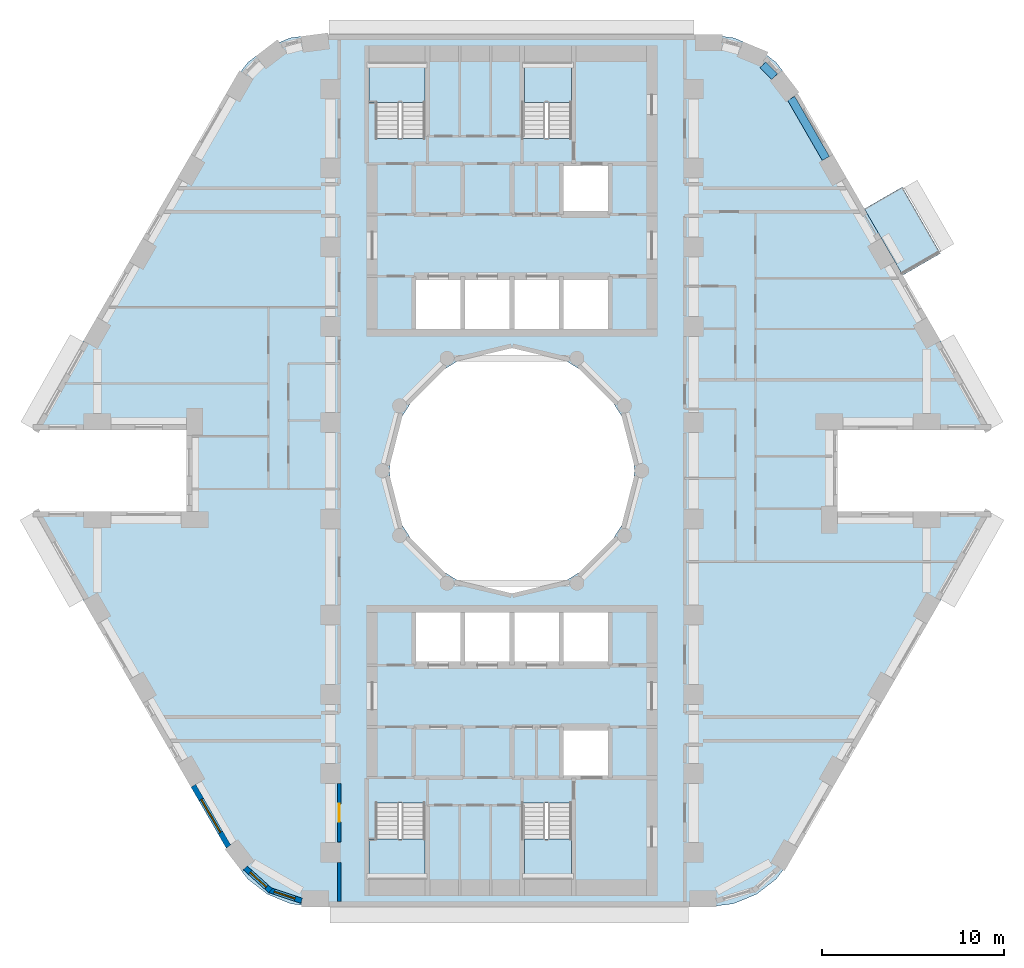
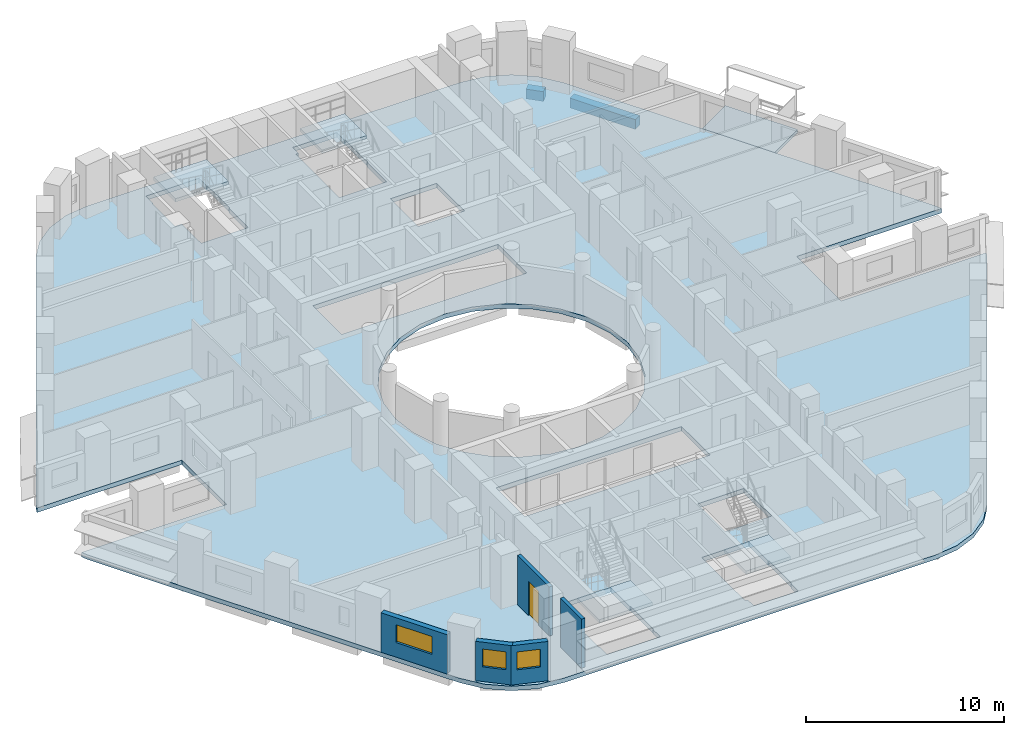
# One storey, part 2 of 13: 6 slabs, 5 walls, 3 windows, 2 beams, 1 door, 4 openings, 4 elements without a shape of their own.
"""IFC4 building model written with IfcOpenShell, lengths in metres."""

from ifc_helpers import new_model, si_unit, direction, frame, frame_2d, origin, origin_2d, place, context, subcontext, project, spatial, polyline, rectangle, outline, extrude, material, layer, layer_set, material_profile, profile_set, type_object, element, fill, aggregate, save


model = new_model("IFC4")

# Units and contexts
model_context = context("Model", 3, precision=1e-05, world=origin(), true_north=direction((0.0, 1.0)))
body_context = subcontext(model_context, "Body", "Model", "MODEL_VIEW")
ifc_project = project(units=[si_unit("LENGTHUNIT", "METRE"), si_unit("AREAUNIT", "SQUARE_METRE"), si_unit("VOLUMEUNIT", "CUBIC_METRE"), si_unit("PLANEANGLEUNIT", "RADIAN"), si_unit("MASSUNIT", "GRAM", prefix="KILO")], contexts=[model_context])

# Site, building, storey
site_placement = place(None, origin())
site = spatial("IfcSite", under=ifc_project, at=site_placement, CompositionType="ELEMENT")
building_placement = place(site_placement, origin())
building = spatial("IfcBuilding", under=site, at=building_placement, Name="Nakaniwa Court", CompositionType="ELEMENT")
storey_placement = place(building_placement, frame((0.0, 0.0, 61.199951171875)))
storey = spatial("IfcBuildingStorey", under=building, at=storey_placement, Name="L16", CompositionType="ELEMENT", Elevation=61.199951171875)

# Beams
ifc_material_1 = material(Name="Concrete C100/115", Category="concrete")
ifc_material_profile = material_profile(ifc_material_1, rectangle(XDim=0.449951171875, YDim=0.60009765625, at=origin_2d()), Name="Concrete C100/115 RC 450x600 spandrel beam")
ifc_profile_set = profile_set([ifc_material_profile], Name="Concrete C100/115")
beam_type = type_object("IfcBeamType", Name="Concrete C100/115 RC 450x600 spandrel beam", PredefinedType="BEAM", material=ifc_profile_set)
beam_1_placement = place(storey_placement, frame((97.2705078125, 97.1865234375, -0.574951171875), z_axis=(-0.500023067617, 0.86601208528, 0.0), x_axis=(-0.86601208528, -0.500023067617, 0.0)))
element("IfcBeam", 1, at=beam_1_placement, inside=storey, type_object=beam_type, Name="SPANDREL BEAM", PredefinedType="BEAM", context=body_context, shape_type="SweptSolid", body=[
    extrude(rectangle(XDim=0.449951171875, YDim=0.60009765625, at=origin_2d()), origin(), (0.0, 0.0, 1.0), 3.819580078125),
])
beam_2_placement = place(storey_placement, frame((94.448486328125, 101.68505859375, -0.574951171875), z_axis=(-0.705908410536, 0.708303124329, 0.0), x_axis=(-0.708303124329, -0.705908410536, 0.0)))
element("IfcBeam", 2, at=beam_2_placement, inside=storey, type_object=beam_type, Name="SPANDREL BEAM", PredefinedType="BEAM", context=body_context, shape_type="SweptSolid", body=[
    extrude(rectangle(XDim=0.449951171875, YDim=0.60009765625, at=origin_2d()), origin(), (0.0, 0.0, 1.0), 0.91748046875),
])

# Slabs
ifc_material_2 = material(Name="Charcoal ceramic paver")
ifc_layer_1 = layer(ifc_material_2, 0.02, Name="Ceramic paver")
ifc_material_3 = material(Name="Cement sand screed")
ifc_layer_2 = layer(ifc_material_3, 0.03, Name="Falls screed")
ifc_material_4 = material(Name="Concrete C40/50", Category="concrete")
ifc_layer_3 = layer(ifc_material_4, 0.15, Name="Balcony slab")
ifc_layer_set_1 = layer_set([ifc_layer_1, ifc_layer_2, ifc_layer_3], Name="Concrete C40/50 balcony slab with ceramic paver finish")
slab_type_1 = type_object("IfcSlabType", Name="Balcony slab 200", PredefinedType="FLOOR", material=ifc_layer_set_1)
slab_1_placement = place(storey_placement, frame((0.0, 0.0, -0.25)))
element("IfcSlab", 3, at=slab_1_placement, inside=storey, type_object=slab_type_1, Name="L16 balcony 01", PredefinedType="FLOOR", context=body_context, shape_type="SweptSolid", body=[
    extrude(outline(polyline([(101.50048828125, 90.760009765625), (99.393310546875, 94.409912109375), (101.4716796875, 95.610107421875), (103.5791015625, 91.9599609375), (101.50048828125, 90.760009765625)])), origin(), (0.0, 0.0, 1.0), 0.199951171875),
])
ifc_layer_4 = layer(ifc_material_1, 0.27490234375)
ifc_layer_set_2 = layer_set([ifc_layer_4], Name="Concrete C100/115")
slab_type_2 = type_object("IfcSlabType", Name="Concrete C100/115 post tensioned floor slab 275", PredefinedType="FLOOR", material=ifc_layer_set_2)
slab_2_placement = place(storey_placement, frame((0.0, 0.0, -0.27490234375)))
element("IfcSlab", 4, at=slab_2_placement, inside=storey, type_object=slab_type_2, Name="FLOOR SLAB", PredefinedType="FLOOR", context=body_context, shape_type="SweptSolid", body=[
    extrude(outline(polyline([(97.908447265625, 82.25), (106.356689453125, 82.25), (106.211669921875, 82.60009765625), (95.357421875, 101.39990234375), (94.531005859375, 102.47705078125), (93.4541015625, 103.30322265625), (92.199951171875, 103.82275390625), (90.854248046875, 104.0), (69.145751953125, 104.0), (67.800048828125, 103.82275390625), (66.5458984375, 103.30322265625), (65.468994140625, 102.47705078125), (64.642578125, 101.39990234375), (53.788330078125, 82.60009765625), (53.643310546875, 82.25), (62.091552734375, 82.25), (62.091552734375, 77.75), (53.643310546875, 77.75), (53.788330078125, 77.39990234375), (64.642578125, 58.60009765625), (65.468994140625, 57.52294921875), (66.5458984375, 56.69677734375), (67.800048828125, 56.17724609375), (69.145751953125, 56.0), (90.854248046875, 56.0), (92.199951171875, 56.17724609375), (93.4541015625, 56.69677734375), (94.531005859375, 57.52294921875), (95.357421875, 58.60009765625), (106.211669921875, 77.39990234375), (106.356689453125, 77.75), (97.908447265625, 77.75), (97.908447265625, 82.25)]), holes=[polyline([(81.501953125, 86.580810546875), (80.0, 86.75), (78.498046875, 86.580810546875), (77.0712890625, 86.08154296875), (75.79150390625, 85.27734375), (74.72265625, 84.20849609375), (73.91845703125, 82.9287109375), (73.419189453125, 81.501953125), (73.25, 80.0), (73.419189453125, 78.498046875), (73.91845703125, 77.0712890625), (74.72265625, 75.79150390625), (75.79150390625, 74.72265625), (77.0712890625, 73.91845703125), (78.498046875, 73.419189453125), (80.0, 73.25), (81.501953125, 73.419189453125), (82.9287109375, 73.91845703125), (84.20849609375, 74.72265625), (85.27734375, 75.79150390625), (86.08154296875, 77.0712890625), (86.580810546875, 78.498046875), (86.75, 80.0), (86.580810546875, 81.501953125), (86.08154296875, 82.9287109375), (85.27734375, 84.20849609375), (84.20849609375, 85.27734375), (82.9287109375, 86.08154296875), (81.501953125, 86.580810546875)]), polyline([(75.264892578125, 57.4599609375), (75.264892578125, 59.764892578125), (75.22509765625, 59.764892578125), (75.22509765625, 61.7099609375), (72.47509765625, 61.7099609375), (72.47509765625, 59.764892578125), (72.0849609375, 59.764892578125), (72.0849609375, 57.4599609375), (72.125, 57.4599609375), (72.125, 56.72509765625), (75.22509765625, 56.72509765625), (75.22509765625, 57.324951171875), (75.22509765625, 57.4599609375), (75.264892578125, 57.4599609375)]), polyline([(80.0, 69.300048828125), (82.699951171875, 69.300048828125), (85.39990234375, 69.300048828125), (85.39990234375, 72.199951171875), (82.699951171875, 72.199951171875), (80.0, 72.199951171875), (77.300048828125, 72.199951171875), (74.60009765625, 72.199951171875), (74.60009765625, 69.300048828125), (77.300048828125, 69.300048828125), (80.0, 69.300048828125)]), polyline([(80.0, 87.800048828125), (82.699951171875, 87.800048828125), (85.39990234375, 87.800048828125), (85.39990234375, 90.699951171875), (82.699951171875, 90.699951171875), (80.0, 90.699951171875), (77.300048828125, 90.699951171875), (74.60009765625, 90.699951171875), (74.60009765625, 87.800048828125), (77.300048828125, 87.800048828125), (80.0, 87.800048828125)]), polyline([(75.264892578125, 100.235107421875), (75.264892578125, 102.5400390625), (75.22509765625, 102.5400390625), (75.22509765625, 102.675048828125), (75.22509765625, 103.27490234375), (72.125, 103.27490234375), (72.125, 102.5400390625), (72.0849609375, 102.5400390625), (72.0849609375, 100.235107421875), (72.47509765625, 100.235107421875), (72.47509765625, 98.2900390625), (75.22509765625, 98.2900390625), (75.22509765625, 100.235107421875), (75.264892578125, 100.235107421875)]), polyline([(83.27490234375, 61.7099609375), (80.52490234375, 61.7099609375), (80.52490234375, 57.324951171875), (80.675048828125, 57.324951171875), (80.675048828125, 56.72509765625), (83.27490234375, 56.72509765625), (83.27490234375, 57.324951171875), (83.27490234375, 57.4599609375), (83.31494140625, 57.4599609375), (83.31494140625, 59.764892578125), (83.27490234375, 59.764892578125), (83.27490234375, 61.7099609375)]), polyline([(85.39990234375, 65.89990234375), (82.699951171875, 65.89990234375), (82.699951171875, 63.10009765625), (85.39990234375, 63.10009765625), (85.39990234375, 65.89990234375)]), polyline([(85.39990234375, 96.89990234375), (82.699951171875, 96.89990234375), (82.699951171875, 94.10009765625), (85.39990234375, 94.10009765625), (85.39990234375, 96.89990234375)]), polyline([(83.27490234375, 100.235107421875), (83.31494140625, 100.235107421875), (83.31494140625, 102.5400390625), (83.27490234375, 102.5400390625), (83.27490234375, 102.675048828125), (83.27490234375, 103.27490234375), (80.675048828125, 103.27490234375), (80.675048828125, 102.675048828125), (80.52490234375, 102.675048828125), (80.52490234375, 98.2900390625), (83.27490234375, 98.2900390625), (83.27490234375, 100.235107421875)])]), origin(), (0.0, 0.0, 1.0), 0.27490234375),
])

# Stair, slab
ifc_material_5 = material(Name="Concrete C80/100", Category="concrete")
stair_type = type_object("IfcStairType", Name="Dog leg stair 1300 wide 18 risers", PredefinedType="HALF_TURN_STAIR", material=ifc_material_5)
stair_1_placement = place(storey_placement, origin())
stair_1 = element("IfcStair", 5, at=stair_1_placement, inside=storey, type_object=stair_type, Name="L16 Stair ST1", PredefinedType="HALF_TURN_STAIR")
ifc_layer_5 = layer(ifc_material_5, 0.199951171875)
ifc_layer_set_3 = layer_set([ifc_layer_5], Name="Concrete C80/100")
slab_type_3 = type_object("IfcSlabType", Name="Stair landing concrete", PredefinedType="LANDING", material=ifc_layer_set_3)
slab_3_placement = place(storey_placement, frame((0.0, 0.0, 1.449951171875)))
slab_3 = element("IfcSlab", 6, at=slab_3_placement, type_object=slab_type_3, Name="ST1 landing 1", PredefinedType="LANDING", context=body_context, shape_type="SweptSolid", body=[
    extrude(outline(polyline([(75.22509765625, 100.27490234375), (75.22509765625, 102.5), (72.125, 102.5), (72.125, 100.27490234375), (75.22509765625, 100.27490234375)])), origin(), (0.0, 0.0, 1.0), 0.2001953125),
])
aggregate(stair_1, [slab_3])

stair_2_placement = place(storey_placement, origin())
stair_2 = element("IfcStair", 7, at=stair_2_placement, inside=storey, type_object=stair_type, Name="L16 Stair ST2", PredefinedType="HALF_TURN_STAIR")
slab_4_placement = place(storey_placement, frame((0.0, 0.0, 1.449951171875)))
slab_4 = element("IfcSlab", 8, at=slab_4_placement, type_object=slab_type_3, Name="ST2 landing 1", PredefinedType="LANDING", context=body_context, shape_type="SweptSolid", body=[
    extrude(outline(polyline([(83.27490234375, 100.27490234375), (83.27490234375, 102.5), (80.675048828125, 102.5), (80.675048828125, 100.27490234375), (83.27490234375, 100.27490234375)])), origin(), (0.0, 0.0, 1.0), 0.2001953125),
])
aggregate(stair_2, [slab_4])

stair_3_placement = place(storey_placement, origin())
stair_3 = element("IfcStair", 9, at=stair_3_placement, inside=storey, type_object=stair_type, Name="L16 Stair ST3", PredefinedType="HALF_TURN_STAIR")
slab_5_placement = place(storey_placement, frame((0.0, 0.0, 1.449951171875)))
slab_5 = element("IfcSlab", 10, at=slab_5_placement, type_object=slab_type_3, Name="ST3 landing 1", PredefinedType="LANDING", context=body_context, shape_type="SweptSolid", body=[
    extrude(outline(polyline([(75.22509765625, 57.5), (75.22509765625, 59.72509765625), (72.125, 59.72509765625), (72.125, 57.5), (75.22509765625, 57.5)])), origin(), (0.0, 0.0, 1.0), 0.2001953125),
])
aggregate(stair_3, [slab_5])

stair_4_placement = place(storey_placement, origin())
stair_4 = element("IfcStair", 11, at=stair_4_placement, inside=storey, type_object=stair_type, Name="L16 Stair ST4", PredefinedType="HALF_TURN_STAIR")
slab_6_placement = place(storey_placement, frame((0.0, 0.0, 1.449951171875)))
slab_6 = element("IfcSlab", 12, at=slab_6_placement, type_object=slab_type_3, Name="ST4 landing 1", PredefinedType="LANDING", context=body_context, shape_type="SweptSolid", body=[
    extrude(outline(polyline([(83.27490234375, 57.5), (83.27490234375, 59.72509765625), (80.675048828125, 59.72509765625), (80.675048828125, 57.5), (83.27490234375, 57.5)])), origin(), (0.0, 0.0, 1.0), 0.2001953125),
])
aggregate(stair_4, [slab_6])

# Wall
ifc_material_6 = material(Name="Acoustic double stud partition")
ifc_layer_6 = layer(ifc_material_6, 0.199951171875)
ifc_layer_set_4 = layer_set([ifc_layer_6], Name="Acoustic double stud partition")
wall_type_1 = type_object("IfcWallType", Name="Acoustic double stud partition 200", PredefinedType="PARTITIONING", material=ifc_layer_set_4)
wall_1_placement = place(storey_placement, frame((70.5, 56.300048828125, 0.0), z_axis=(0.0, 0.0, 1.0), x_axis=(0.0, 1.0, 0.0)))
element("IfcWall", 13, at=wall_1_placement, inside=storey, type_object=wall_type_1, Name="Partition PW-100", PredefinedType="PARTITIONING", context=body_context, shape_type="SweptSolid", body=[
    extrude(rectangle(XDim=2.133056640625, YDim=0.199951171875, at=frame_2d((1.06640625, 0.0))), origin(), (0.0, 0.0, 1.0), 3.025146484375),
])

# Wall, opening, door
wall_2_placement = place(storey_placement, frame((70.5, 59.56689453125, 0.0), z_axis=(0.0, 0.0, 1.0), x_axis=(0.0, 1.0, 0.0)))
wall_2 = element("IfcWall", 14, at=wall_2_placement, inside=storey, type_object=wall_type_1, Name="Partition PW-101", PredefinedType="PARTITIONING", context=body_context, shape_type="SweptSolid", body=[
    extrude(rectangle(XDim=3.216064453125, YDim=0.199951171875, at=frame_2d((1.60791015625, 0.0))), origin(), (0.0, 0.0, 1.0), 3.025146484375),
])
opening_1_placement = place(wall_2_placement, frame((1.10791015625, 0.0, 0.0)))
opening_1 = element("IfcOpeningElement", 15, at=opening_1_placement, cuts=wall_2, Name="Opening D-02-04", PredefinedType="OPENING", context=body_context, shape_type="SweptSolid", body=[
    extrude(rectangle(XDim=1.0, YDim=2.10009765625, at=frame_2d((0.5, 1.050048828125))), frame((0.0, 0.10986328125, 0.0), z_axis=(0.0, -1.0, 0.0), x_axis=(1.0, 0.0, 0.0)), (0.0, 0.0, 1.0), 0.219970703125),
])
ifc_material_7 = material(Name="Solid core timber door set, black veneer", Category="wood")
door_type = type_object("IfcDoorType", Name="Internal door 1000", OperationType="NOTDEFINED", PredefinedType="DOOR", material=ifc_material_7)
door_placement = place(opening_1_placement, origin())
door = element("IfcDoor", 16, at=door_placement, inside=storey, type_object=door_type, Name="Door D-02-04 L16-044", OperationType="SINGLE_SWING_LEFT", OverallHeight=2.10009765625, OverallWidth=1.0, PredefinedType="DOOR", context=body_context, shape_type="SweptSolid", body=[
    extrude(rectangle(XDim=1.0, YDim=2.10009765625, at=frame_2d((0.5, 1.050048828125))), frame((0.0, 0.02490234375, 0.0), z_axis=(0.0, -1.0, 0.0), x_axis=(1.0, 0.0, 0.0)), (0.0, 0.0, 1.0), 0.050048828125),
])
fill(opening_1, door)

# Wall, opening, window
ifc_material_8 = material(Name="Charcoal ceramic cladding")
ifc_layer_7 = layer(ifc_material_8, 0.02, Name="Ceramic cladding")
ifc_material_9 = material(Name="Ventilated air cavity")
ifc_layer_8 = layer(ifc_material_9, 0.04, ventilated=True, Name="Ventilated cavity")
ifc_material_10 = material(Name="Mineral wool insulation")
ifc_layer_9 = layer(ifc_material_10, 0.1, Name="Insulation")
ifc_material_11 = material(Name="Cement bonded sheathing board")
ifc_layer_10 = layer(ifc_material_11, 0.012, Name="Sheathing")
ifc_material_12 = material(Name="Cold-formed galvanised stud frame with mineral wool infill")
ifc_layer_11 = layer(ifc_material_12, 0.1, Name="Stud frame")
ifc_material_13 = material(Name="Fire-rated gypsum plasterboard lining")
ifc_layer_12 = layer(ifc_material_13, 0.028, Name="Lining")
ifc_layer_set_5 = layer_set([ifc_layer_7, ifc_layer_8, ifc_layer_9, ifc_layer_10, ifc_layer_11, ifc_layer_12], Name="Charcoal ceramic faced external wall system")
wall_type_2 = type_object("IfcWallType", Name="Black ceramic faced external wall 300", PredefinedType="SOLIDWALL", material=ifc_layer_set_5)
wall_3_placement = place(storey_placement, frame((62.4677734375, 62.6669921875, 0.0), z_axis=(0.0, 0.0, 1.0), x_axis=(0.499948341072, -0.866055227026, 0.0)))
wall_3 = element("IfcWall", 17, at=wall_3_placement, inside=storey, type_object=wall_type_2, Name="L16 external wall 23", PredefinedType="SOLIDWALL", context=body_context, shape_type="SweptSolid", body=[
    extrude(rectangle(XDim=3.8671875, YDim=0.300048828125, at=frame_2d((1.93359375, 0.0))), origin(), (0.0, 0.0, 1.0), 2.425048828125),
])
opening_2_placement = place(wall_3_placement, frame((0.872314453125, 0.0, 0.89990234375)))
opening_2 = element("IfcOpeningElement", 18, at=opening_2_placement, cuts=wall_3, Name="Opening W7.26", PredefinedType="OPENING", context=body_context, shape_type="SweptSolid", body=[
    extrude(rectangle(XDim=2.10009765625, YDim=1.10009765625, at=frame_2d((1.050048828125, 0.550048828125))), frame((0.0, 0.159912109375, 0.0), z_axis=(0.0, -1.0, 0.0), x_axis=(1.0, 0.0, 0.0)), (0.0, 0.0, 1.0), 0.320068359375),
])
ifc_material_14 = material(Name="Black anodised aluminium frame with dark low-E laminated double glazing", Category="aluminium")
window_type_1 = type_object("IfcWindowType", Name="Dark glass window 2100x1100 sill 900", PartitioningType="SINGLE_PANEL", PredefinedType="WINDOW", material=ifc_material_14)
window_1_placement = place(opening_2_placement, origin())
window_1 = element("IfcWindow", 19, at=window_1_placement, inside=storey, type_object=window_type_1, Name="L16 habitable room window 23-0", OverallHeight=1.10009765625, OverallWidth=2.10009765625, PartitioningType="SINGLE_PANEL", PredefinedType="WINDOW", context=body_context, shape_type="SweptSolid", body=[
    extrude(rectangle(XDim=2.10009765625, YDim=1.10009765625, at=frame_2d((1.050048828125, 0.550048828125))), frame((0.0, 0.030029296875, 0.0), z_axis=(0.0, -1.0, 0.0), x_axis=(1.0, 0.0, 0.0)), (0.0, 0.0, 1.0), 0.06005859375),
])
fill(opening_2, window_1)

wall_4_placement = place(storey_placement, frame((65.3203125, 58.142578125, 0.0), z_axis=(0.0, 0.0, 1.0), x_axis=(0.7435526378, -0.668677407141, 0.0)))
wall_4 = element("IfcWall", 20, at=wall_4_placement, inside=storey, type_object=wall_type_2, Name="L16 external wall 24", PredefinedType="SOLIDWALL", context=body_context, shape_type="SweptSolid", body=[
    extrude(rectangle(XDim=1.878173828125, YDim=0.300048828125, at=frame_2d((0.93896484375, 0.0))), origin(), (0.0, 0.0, 1.0), 2.425048828125),
])
opening_3_placement = place(wall_4_placement, frame((0.366943359375, 0.0, 0.89990234375)))
opening_3 = element("IfcOpeningElement", 21, at=opening_3_placement, cuts=wall_4, Name="Opening W6.27", PredefinedType="OPENING", context=body_context, shape_type="SweptSolid", body=[
    extrude(rectangle(XDim=1.199951171875, YDim=1.10009765625, at=frame_2d((0.60009765625, 0.550048828125))), frame((0.0, 0.159912109375, 0.0), z_axis=(0.0, -1.0, 0.0), x_axis=(1.0, 0.0, 0.0)), (0.0, 0.0, 1.0), 0.320068359375),
])
window_type_2 = type_object("IfcWindowType", Name="Dark glass window 1200x1100 sill 900", PartitioningType="SINGLE_PANEL", PredefinedType="WINDOW", material=ifc_material_14)
window_2_placement = place(opening_3_placement, origin())
window_2 = element("IfcWindow", 22, at=window_2_placement, inside=storey, type_object=window_type_2, Name="L16 habitable room window 24-0", OverallHeight=1.10009765625, OverallWidth=1.199951171875, PartitioningType="SINGLE_PANEL", PredefinedType="WINDOW", context=body_context, shape_type="SweptSolid", body=[
    extrude(rectangle(XDim=1.199951171875, YDim=1.10009765625, at=frame_2d((0.60009765625, 0.550048828125))), frame((0.0, 0.030029296875, 0.0), z_axis=(0.0, -1.0, 0.0), x_axis=(1.0, 0.0, 0.0)), (0.0, 0.0, 1.0), 0.06005859375),
])
fill(opening_3, window_2)

wall_5_placement = place(storey_placement, frame((66.6240234375, 56.932861328125, 0.0), z_axis=(0.0, 0.0, 1.0), x_axis=(0.949246659442, -0.314532636683, 0.0)))
wall_5 = element("IfcWall", 23, at=wall_5_placement, inside=storey, type_object=wall_type_2, Name="L16 external wall 25", PredefinedType="SOLIDWALL", context=body_context, shape_type="SweptSolid", body=[
    extrude(rectangle(XDim=1.901611328125, YDim=0.300048828125, at=frame_2d((0.95068359375, 0.0))), origin(), (0.0, 0.0, 1.0), 2.425048828125),
])
opening_4_placement = place(wall_5_placement, frame((0.31005859375, 0.0, 0.89990234375)))
opening_4 = element("IfcOpeningElement", 24, at=opening_4_placement, cuts=wall_5, Name="Opening W6.28", PredefinedType="OPENING", context=body_context, shape_type="SweptSolid", body=[
    extrude(rectangle(XDim=1.199951171875, YDim=1.10009765625, at=frame_2d((0.60009765625, 0.550048828125))), frame((0.0, 0.159912109375, 0.0), z_axis=(0.0, -1.0, 0.0), x_axis=(1.0, 0.0, 0.0)), (0.0, 0.0, 1.0), 0.320068359375),
])
window_3_placement = place(opening_4_placement, origin())
window_3 = element("IfcWindow", 25, at=window_3_placement, inside=storey, type_object=window_type_2, Name="L16 habitable room window 25-0", OverallHeight=1.10009765625, OverallWidth=1.199951171875, PartitioningType="SINGLE_PANEL", PredefinedType="WINDOW", context=body_context, shape_type="SweptSolid", body=[
    extrude(rectangle(XDim=1.199951171875, YDim=1.10009765625, at=frame_2d((0.60009765625, 0.550048828125))), frame((0.0, 0.030029296875, 0.0), z_axis=(0.0, -1.0, 0.0), x_axis=(1.0, 0.0, 0.0)), (0.0, 0.0, 1.0), 0.06005859375),
])
fill(opening_4, window_3)

save(model, "model.ifc")
